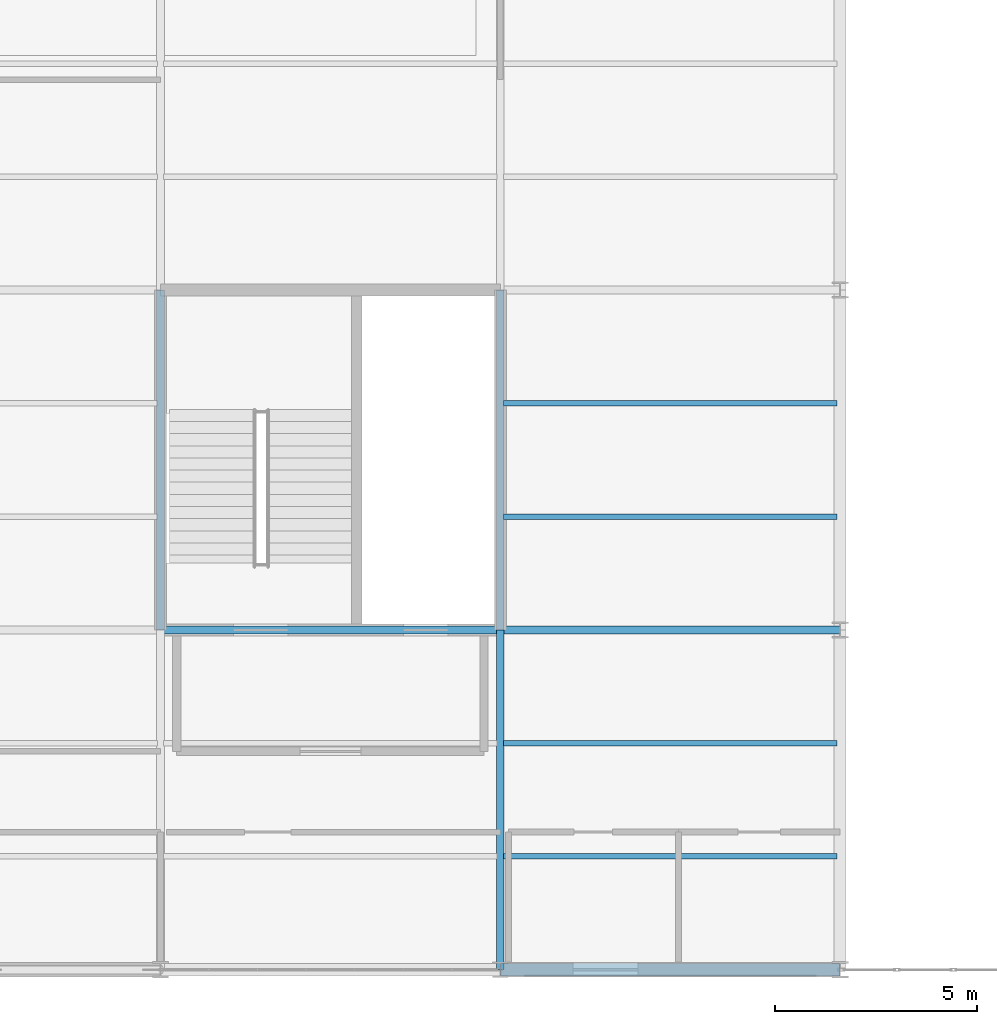
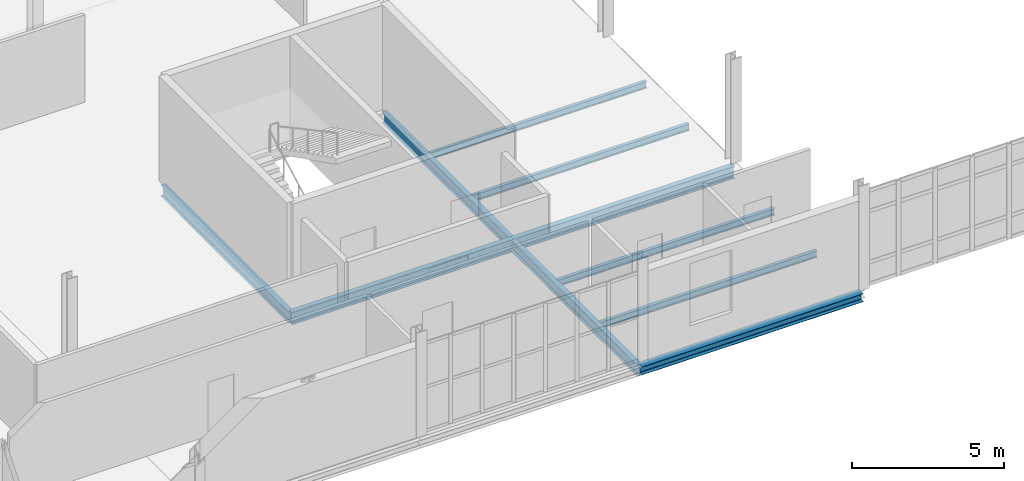
# One storey, part 35 of 163: 10 beams.
"""IFC4 building model written with IfcOpenShell, lengths in metres."""

from ifc_helpers import new_model, si_unit, direction, frame, origin, origin_2d, place, context, subcontext, project, spatial, i_section, extrude, material, material_profile, profile_set, type_object, element, save


model = new_model("IFC4")

# Units and contexts
model_context = context("Model", 3, precision=1e-05, world=origin(), true_north=direction((0.0, 1.0)))
body_context = subcontext(model_context, "Body", "Model", "MODEL_VIEW")
ifc_project = project(units=[si_unit("LENGTHUNIT", "METRE"), si_unit("AREAUNIT", "SQUARE_METRE"), si_unit("VOLUMEUNIT", "CUBIC_METRE"), si_unit("PLANEANGLEUNIT", "RADIAN"), si_unit("MASSUNIT", "GRAM", prefix="KILO")], contexts=[model_context])

# Site, building, storey
site_placement = place(None, origin())
site = spatial("IfcSite", under=ifc_project, at=site_placement, CompositionType="ELEMENT")
building_placement = place(site_placement, origin())
building = spatial("IfcBuilding", under=site, at=building_placement, Name="Qalvenar Corner Mobility Hub", CompositionType="ELEMENT")
storey_placement = place(building_placement, frame((0.0, 0.0, 4.800048828125)))
storey = spatial("IfcBuildingStorey", under=building, at=storey_placement, Name="L01", CompositionType="ELEMENT", Elevation=4.800048828125)

# Beams
ifc_material = material(Name="Steel S355", Category="steel")
ifc_material_profile_1 = material_profile(ifc_material, i_section(OverallWidth=0.18994140625, OverallDepth=0.449951171875, WebThickness=0.009521484375, FlangeThickness=0.0146484375, FilletRadius=0.02099609375, at=origin_2d()), Name="IPE450")
ifc_profile_set_1 = profile_set([ifc_material_profile_1], Name="Steel S355")
beam_type_1 = type_object("IfcBeamType", Name="BM-IPE450", PredefinedType="BEAM", material=ifc_profile_set_1)
beam_1_placement = place(storey_placement, frame((33.60009765625, 8.39990234375, -0.405029296875), z_axis=(0.0, 1.0, 0.0), x_axis=(-1.0, 0.0, 0.0)))
element("IfcBeam", 1, at=beam_1_placement, inside=storey, type_object=beam_type_1, Name="Primary Steel Girder GY-0872", PredefinedType="BEAM", context=body_context, shape_type="SweptSolid", body=[
    extrude(i_section(OverallWidth=0.18994140625, OverallDepth=0.449951171875, WebThickness=0.009521484375, FlangeThickness=0.0146484375, FilletRadius=0.02099609375, at=origin_2d()), origin(), (0.0, 0.0, 1.0), 8.400146484375),
])
beam_2_placement = place(storey_placement, frame((42.0, 0.0, -0.405029296875), z_axis=(0.0, 1.0, 0.0), x_axis=(-1.0, 0.0, 0.0)))
element("IfcBeam", 2, at=beam_2_placement, inside=storey, type_object=beam_type_1, Name="Primary Steel Girder GY-0876", PredefinedType="BEAM", context=body_context, shape_type="SweptSolid", body=[
    extrude(i_section(OverallWidth=0.18994140625, OverallDepth=0.449951171875, WebThickness=0.009521484375, FlangeThickness=0.0146484375, FilletRadius=0.02099609375, at=origin_2d()), origin(), (0.0, 0.0, 1.0), 8.39990234375),
])
beam_3_placement = place(storey_placement, frame((42.0, 8.39990234375, -0.405029296875), z_axis=(0.0, 1.0, 0.0), x_axis=(-1.0, 0.0, 0.0)))
element("IfcBeam", 3, at=beam_3_placement, inside=storey, type_object=beam_type_1, Name="Primary Steel Girder GY-0877", PredefinedType="BEAM", context=body_context, shape_type="SweptSolid", body=[
    extrude(i_section(OverallWidth=0.18994140625, OverallDepth=0.449951171875, WebThickness=0.009521484375, FlangeThickness=0.0146484375, FilletRadius=0.02099609375, at=origin_2d()), origin(), (0.0, 0.0, 1.0), 8.400146484375),
])
ifc_material_profile_2 = material_profile(ifc_material, i_section(OverallWidth=0.199951171875, OverallDepth=0.5, WebThickness=0.01025390625, FlangeThickness=0.01611328125, FilletRadius=0.02099609375, at=origin_2d()), Name="IPE500")
ifc_profile_set_2 = profile_set([ifc_material_profile_2], Name="Steel S355")
beam_type_2 = type_object("IfcBeamType", Name="BM-IPE500", PredefinedType="BEAM", material=ifc_profile_set_2)
for number, where, z_axis, x_axis, name in (
    (4, (33.60009765625, 8.39990234375, -0.429931640625), (1.0, 0.0, 0.0), (0.0, 1.0, 0.0), "Primary Steel Girder GX-0825"),
    (5, (42.0, 8.39990234375, -0.429931640625), (1.0, 0.0, 0.0), (0.0, 1.0, 0.0), "Primary Steel Girder GX-0826"),
):
    element("IfcBeam", number, at=place(storey_placement, frame(where, z_axis=z_axis, x_axis=x_axis)), inside=storey, type_object=beam_type_2, Name=name, PredefinedType="BEAM", context=body_context, shape_type="SweptSolid", body=[
        extrude(i_section(OverallWidth=0.199951171875, OverallDepth=0.5, WebThickness=0.01025390625, FlangeThickness=0.01611328125, FilletRadius=0.02099609375, at=origin_2d()), origin(), (0.0, 0.0, 1.0), 8.39990234375),
    ])
ifc_material_profile_3 = material_profile(ifc_material, i_section(OverallWidth=0.135009765625, OverallDepth=0.27001953125, WebThickness=0.006591796875, FlangeThickness=0.01025390625, FilletRadius=0.014892578125, at=origin_2d()), Name="IPE270")
ifc_profile_set_3 = profile_set([ifc_material_profile_3], Name="Steel S355")
beam_type_3 = type_object("IfcBeamType", Name="BM-JST270", PredefinedType="JOIST", material=ifc_profile_set_3)
for number, where, z_axis, x_axis, name in (
    (6, (42.077880859375, 2.800048828125, -0.31494140625), (1.0, 0.0, 0.0), (0.0, 1.0, 0.0), "Composite Floor Joist J-0933"),
    (7, (42.077880859375, 5.60009765625, -0.31494140625), (1.0, 0.0, 0.0), (0.0, 1.0, 0.0), "Composite Floor Joist J-0934"),
    (8, (42.077880859375, 11.199951171875, -0.31494140625), (1.0, 0.0, 0.0), (0.0, 1.0, 0.0), "Composite Floor Joist J-0935"),
    (9, (42.077880859375, 14.0, -0.31494140625), (1.0, 0.0, 0.0), (0.0, 1.0, 0.0), "Composite Floor Joist J-0936"),
):
    element("IfcBeam", number, at=place(storey_placement, frame(where, z_axis=z_axis, x_axis=x_axis)), inside=storey, type_object=beam_type_3, Name=name, PredefinedType="JOIST", context=body_context, shape_type="SweptSolid", body=[
        extrude(i_section(OverallWidth=0.135009765625, OverallDepth=0.27001953125, WebThickness=0.006591796875, FlangeThickness=0.01025390625, FilletRadius=0.014892578125, at=origin_2d()), origin(), (0.0, 0.0, 1.0), 8.244140625),
    ])
ifc_material_profile_4 = material_profile(ifc_material, i_section(OverallWidth=0.300048828125, OverallDepth=0.330078125, WebThickness=0.009521484375, FlangeThickness=0.0166015625, FilletRadius=0.027099609375, at=origin_2d()), Name="HEA340")
ifc_profile_set_4 = profile_set([ifc_material_profile_4], Name="Steel S355")
beam_type_4 = type_object("IfcBeamType", Name="BM-SPN340", PredefinedType="SPANDREL", material=ifc_profile_set_4)
beam_4_placement = place(storey_placement, frame((42.0, 0.0, -0.344970703125), z_axis=(1.0, 0.0, 0.0), x_axis=(0.0, 1.0, 0.0)))
element("IfcBeam", 10, at=beam_4_placement, inside=storey, type_object=beam_type_4, Name="Primary Steel Girder GX-0820", PredefinedType="SPANDREL", context=body_context, shape_type="SweptSolid", body=[
    extrude(i_section(OverallWidth=0.300048828125, OverallDepth=0.330078125, WebThickness=0.009521484375, FlangeThickness=0.0166015625, FilletRadius=0.027099609375, at=origin_2d()), origin(), (0.0, 0.0, 1.0), 8.39990234375),
])

save(model, "model.ifc")
